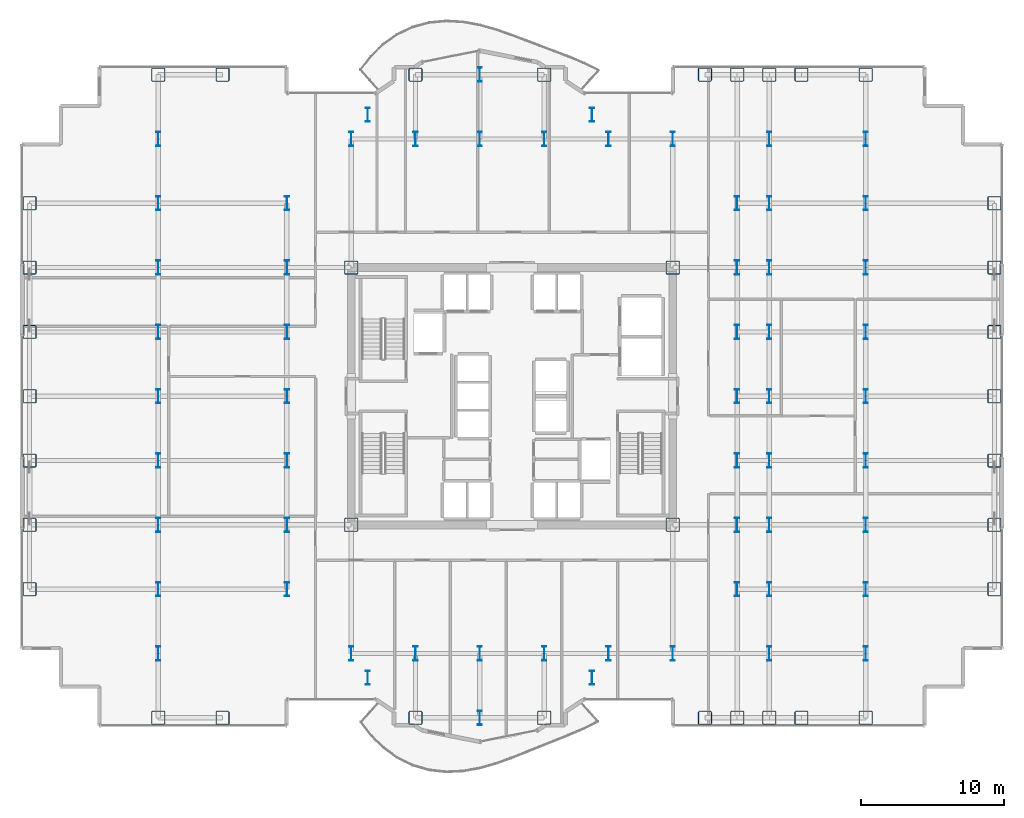
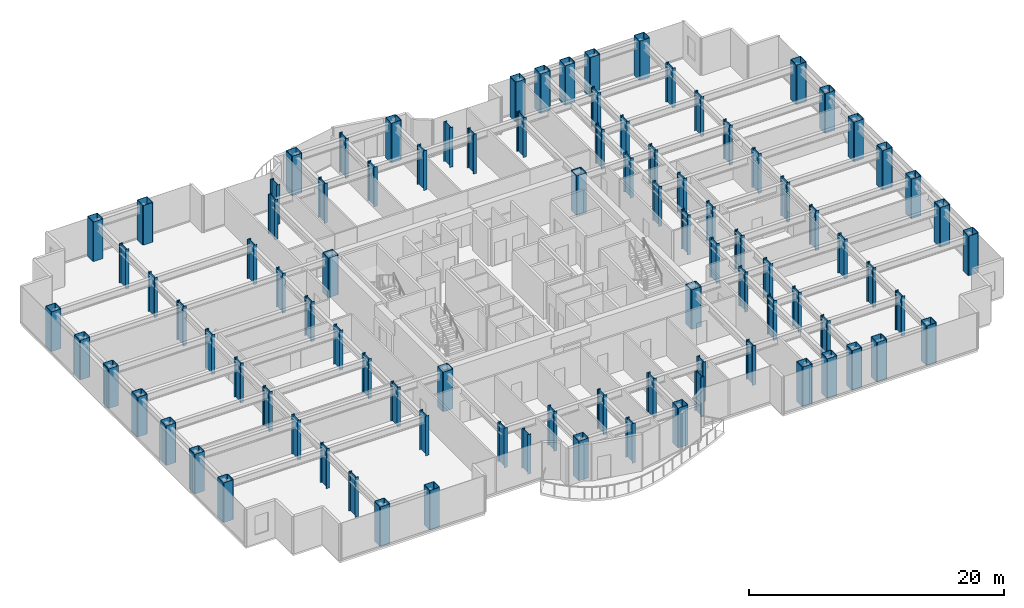
# One storey, part 1 of 29: 95 columns.
"""IFC4 building model written with IfcOpenShell, lengths in metres."""

from ifc_helpers import new_model, si_unit, direction, frame, origin, origin_2d, place, context, subcontext, project, spatial, hollow_rectangle, i_section, extrude, source, transform, mapped, material, material_profile, profile_set, type_object, element, save


model = new_model("IFC4")

# Units and contexts
model_context = context("Model", 3, precision=1e-05, world=origin(), true_north=direction((0.0, 1.0)))
body_context = subcontext(model_context, "Body", "Model", "MODEL_VIEW")
ifc_project = project(units=[si_unit("LENGTHUNIT", "METRE"), si_unit("AREAUNIT", "SQUARE_METRE"), si_unit("VOLUMEUNIT", "CUBIC_METRE"), si_unit("PLANEANGLEUNIT", "RADIAN"), si_unit("MASSUNIT", "GRAM", prefix="KILO")], contexts=[model_context])

# Site, building, storey
site_placement = place(None, origin())
site = spatial("IfcSite", under=ifc_project, at=site_placement, CompositionType="ELEMENT")
building_placement = place(site_placement, origin())
building = spatial("IfcBuilding", under=site, at=building_placement, Name="Nefas-Gora Pilgrimage Tower", CompositionType="ELEMENT")
storey_placement = place(building_placement, frame((0.0, 0.0, 90.800048828125)))
storey = spatial("IfcBuildingStorey", under=building, at=storey_placement, Name="L21", CompositionType="ELEMENT", Elevation=90.800048828125)

# Columns
ifc_material = material(Name="Steel S460", Category="steel")
ifc_material_profile_1 = material_profile(ifc_material, hollow_rectangle(XDim=0.949951171875, YDim=0.949951171875, WallThickness=0.044921875, InnerFilletRadius=0.044921875, OuterFilletRadius=0.090087890625, at=origin_2d()), Name="BOX 950x950x45")
ifc_profile_set_1 = profile_set([ifc_material_profile_1], Name="Steel S460")
column_type_1 = type_object("IfcColumnType", Name="COL-TUBE-950", PredefinedType="COLUMN", material=ifc_profile_set_1)
shared_shape_1 = source(origin(), body_context, "Body", "SweptSolid", [
    extrude(hollow_rectangle(XDim=0.949951171875, YDim=0.949951171875, WallThickness=0.044921875, InnerFilletRadius=0.044921875, OuterFilletRadius=0.090087890625, at=origin_2d()), origin(), (0.0, 0.0, 1.0), 3.800048828125),
])
for number, where, z_axis, x_axis, name in (
    (1, (-33.75, -13.5, 0.0), (0.0, 0.0, 1.0), (1.0, 0.0, 0.0), "L21 Tower Column C-Z1.1"),
    (2, (-33.75, -9.0, 0.0), (0.0, 0.0, 1.0), (1.0, 0.0, 0.0), "L21 Tower Column C-Z1.2"),
    (3, (-33.75, -4.5, 0.0), (0.0, 0.0, 1.0), (1.0, 0.0, 0.0), "L21 Tower Column C-Z1.3"),
    (4, (-33.75, 0.0, 0.0), (0.0, 0.0, 1.0), (1.0, 0.0, 0.0), "L21 Tower Column C-Z1.4"),
    (5, (-33.75, 4.5, 0.0), (0.0, 0.0, 1.0), (1.0, 0.0, 0.0), "L21 Tower Column C-Z1.5"),
    (6, (-33.75, 9.0, 0.0), (0.0, 0.0, 1.0), (1.0, 0.0, 0.0), "L21 Tower Column C-Z1.6"),
    (7, (-33.75, 13.5, 0.0), (0.0, 0.0, 1.0), (1.0, 0.0, 0.0), "L21 Tower Column C-Z1.7"),
    (8, (-24.75, -22.5, 0.0), (0.0, 0.0, 1.0), (1.0, 0.0, 0.0), "L21 Tower Column C-Z1.8"),
    (9, (-24.75, 22.5, 0.0), (0.0, 0.0, 1.0), (1.0, 0.0, 0.0), "L21 Tower Column C-Z1.18"),
    (10, (-20.25, -22.5, 0.0), (0.0, 0.0, 1.0), (1.0, 0.0, 0.0), "L21 Tower Column C-Z1.19"),
    (11, (-20.25, 22.5, 0.0), (0.0, 0.0, 1.0), (1.0, 0.0, 0.0), "L21 Tower Column C-Z1.20"),
    (12, (-6.75, -22.5, 0.0), (0.0, 0.0, 1.0), (1.0, 0.0, 0.0), "L21 Tower Column C-Z1.34"),
    (13, (-6.75, 22.5, 0.0), (0.0, 0.0, 1.0), (1.0, 0.0, 0.0), "L21 Tower Column C-Z1.37"),
    (14, (2.25, -22.5, 0.0), (0.0, 0.0, 1.0), (1.0, 0.0, 0.0), "L21 Tower Column C-Z1.42"),
    (15, (2.25, 22.5, 0.0), (0.0, 0.0, 1.0), (1.0, 0.0, 0.0), "L21 Tower Column C-Z1.45"),
    (16, (13.5, -22.5, 0.0), (0.0, 0.0, 1.0), (1.0, 0.0, 0.0), "L21 Tower Column C-Z1.54"),
    (17, (13.5, 22.5, 0.0), (0.0, 0.0, 1.0), (1.0, 0.0, 0.0), "L21 Tower Column C-Z1.55"),
    (18, (15.75, -22.5, 0.0), (0.0, 0.0, 1.0), (1.0, 0.0, 0.0), "L21 Tower Column C-Z1.56"),
    (19, (15.75, 22.5, 0.0), (0.0, 0.0, 1.0), (1.0, 0.0, 0.0), "L21 Tower Column C-Z1.64"),
    (20, (18.0, -22.5, 0.0), (0.0, 0.0, 1.0), (1.0, 0.0, 0.0), "L21 Tower Column C-Z1.65"),
    (21, (18.0, 22.5, 0.0), (0.0, 0.0, 1.0), (1.0, 0.0, 0.0), "L21 Tower Column C-Z1.75"),
    (22, (20.25, -22.5, 0.0), (0.0, 0.0, 1.0), (1.0, 0.0, 0.0), "L21 Tower Column C-Z1.76"),
    (23, (20.25, 22.5, 0.0), (0.0, 0.0, 1.0), (1.0, 0.0, 0.0), "L21 Tower Column C-Z1.77"),
    (24, (24.75, -22.5, 0.0), (0.0, 0.0, 1.0), (1.0, 0.0, 0.0), "L21 Tower Column C-Z1.78"),
    (25, (24.75, 22.5, 0.0), (0.0, 0.0, 1.0), (1.0, 0.0, 0.0), "L21 Tower Column C-Z1.88"),
    (26, (33.75, -13.5, 0.0), (0.0, 0.0, 1.0), (1.0, 0.0, 0.0), "L21 Tower Column C-Z1.89"),
    (27, (33.75, -9.0, 0.0), (0.0, 0.0, 1.0), (1.0, 0.0, 0.0), "L21 Tower Column C-Z1.90"),
    (28, (33.75, -4.5, 0.0), (0.0, 0.0, 1.0), (1.0, 0.0, 0.0), "L21 Tower Column C-Z1.91"),
    (29, (33.75, 0.0, 0.0), (0.0, 0.0, 1.0), (1.0, 0.0, 0.0), "L21 Tower Column C-Z1.92"),
    (30, (33.75, 4.5, 0.0), (0.0, 0.0, 1.0), (1.0, 0.0, 0.0), "L21 Tower Column C-Z1.93"),
    (31, (33.75, 9.0, 0.0), (0.0, 0.0, 1.0), (1.0, 0.0, 0.0), "L21 Tower Column C-Z1.94"),
    (32, (33.75, 13.5, 0.0), (0.0, 0.0, 1.0), (1.0, 0.0, 0.0), "L21 Tower Column C-Z1.95"),
):
    element("IfcColumn", number, at=place(storey_placement, frame(where, z_axis=z_axis, x_axis=x_axis)), inside=storey, type_object=column_type_1, Name=name, PredefinedType="COLUMN", context=body_context, shape_type="MappedRepresentation", body=[
        mapped(shared_shape_1, transform((0.0, 0.0, 0.0), x_axis=(1.0, 0.0, 0.0), y_axis=(0.0, 1.0, 0.0), z_axis=(0.0, 0.0, 1.0), scale=1.0)),
    ])
ifc_material_profile_2 = material_profile(ifc_material, i_section(OverallWidth=0.302001953125, OverallDepth=1.008056640625, WebThickness=0.02099609375, FlangeThickness=0.0400390625, FilletRadius=0.030029296875, at=origin_2d()), Name="HEM 1000")
ifc_profile_set_2 = profile_set([ifc_material_profile_2], Name="Steel S460")
column_type_2 = type_object("IfcColumnType", Name="COL-WEB-HEM1000", PredefinedType="COLUMN", material=ifc_profile_set_2)
shared_shape_2 = source(origin(), body_context, "Body", "SweptSolid", [
    extrude(i_section(OverallWidth=0.302001953125, OverallDepth=1.008056640625, WebThickness=0.02099609375, FlangeThickness=0.0400390625, FilletRadius=0.030029296875, at=origin_2d()), origin(), (0.0, 0.0, 1.0), 3.800048828125),
])
for number, where, z_axis, x_axis, name in (
    (33, (-24.75, -18.0, 0.0), (0.0, 0.0, 1.0), (1.0, 0.0, 0.0), "L21 Tower Column CW-01.9"),
    (34, (-24.75, -13.5, 0.0), (0.0, 0.0, 1.0), (1.0, 0.0, 0.0), "L21 Tower Column CW-01.10"),
    (35, (-24.75, -9.0, 0.0), (0.0, 0.0, 1.0), (1.0, 0.0, 0.0), "L21 Tower Column CW-01.11"),
    (36, (-24.75, -4.5, 0.0), (0.0, 0.0, 1.0), (1.0, 0.0, 0.0), "L21 Tower Column CW-01.12"),
    (37, (-24.75, 0.0, 0.0), (0.0, 0.0, 1.0), (1.0, 0.0, 0.0), "L21 Tower Column CW-01.13"),
    (38, (-24.75, 4.5, 0.0), (0.0, 0.0, 1.0), (1.0, 0.0, 0.0), "L21 Tower Column CW-01.14"),
    (39, (-24.75, 9.0, 0.0), (0.0, 0.0, 1.0), (1.0, 0.0, 0.0), "L21 Tower Column CW-01.15"),
    (40, (-24.75, 13.5, 0.0), (0.0, 0.0, 1.0), (1.0, 0.0, 0.0), "L21 Tower Column CW-01.16"),
    (41, (-24.75, 18.0, 0.0), (0.0, 0.0, 1.0), (1.0, 0.0, 0.0), "L21 Tower Column CW-01.17"),
    (42, (-15.75, -13.5, 0.0), (0.0, 0.0, 1.0), (1.0, 0.0, 0.0), "L21 Tower Column CW-01.21"),
    (43, (-15.75, -9.0, 0.0), (0.0, 0.0, 1.0), (1.0, 0.0, 0.0), "L21 Tower Column CW-01.22"),
    (44, (-15.75, -4.5, 0.0), (0.0, 0.0, 1.0), (1.0, 0.0, 0.0), "L21 Tower Column CW-01.23"),
    (45, (-15.75, 0.0, 0.0), (0.0, 0.0, 1.0), (1.0, 0.0, 0.0), "L21 Tower Column CW-01.24"),
    (46, (-15.75, 4.5, 0.0), (0.0, 0.0, 1.0), (1.0, 0.0, 0.0), "L21 Tower Column CW-01.25"),
    (47, (-15.75, 9.0, 0.0), (0.0, 0.0, 1.0), (1.0, 0.0, 0.0), "L21 Tower Column CW-01.26"),
    (48, (-15.75, 13.5, 0.0), (0.0, 0.0, 1.0), (1.0, 0.0, 0.0), "L21 Tower Column CW-01.27"),
    (49, (-11.25, -18.0, 0.0), (0.0, 0.0, 1.0), (1.0, 0.0, 0.0), "L21 Tower Column CW-01.28"),
    (50, (-11.25, 18.0, 0.0), (0.0, 0.0, 1.0), (1.0, 0.0, 0.0), "L21 Tower Column CW-01.31"),
    (51, (-10.091064453125, -19.696044921875, 0.0), (0.0, 0.0, 1.0), (1.0, 0.0, 0.0), "L21 Tower Column CW-01.32"),
    (52, (-10.091064453125, 19.696044921875, 0.0), (0.0, 0.0, 1.0), (1.0, 0.0, 0.0), "L21 Tower Column CW-01.33"),
    (53, (-6.75, -18.0, 0.0), (0.0, 0.0, 1.0), (1.0, 0.0, 0.0), "L21 Tower Column CW-01.35"),
    (54, (-6.75, 18.0, 0.0), (0.0, 0.0, 1.0), (1.0, 0.0, 0.0), "L21 Tower Column CW-01.36"),
    (55, (-2.25, -22.5, 0.0), (0.0, 0.0, 1.0), (1.0, 0.0, 0.0), "L21 Tower Column CW-01.38"),
    (56, (-2.25, -18.0, 0.0), (0.0, 0.0, 1.0), (1.0, 0.0, 0.0), "L21 Tower Column CW-01.39"),
    (57, (-2.25, 18.0, 0.0), (0.0, 0.0, 1.0), (1.0, 0.0, 0.0), "L21 Tower Column CW-01.40"),
    (58, (-2.25, 22.5, 0.0), (0.0, 0.0, 1.0), (1.0, 0.0, 0.0), "L21 Tower Column CW-01.41"),
    (59, (2.25, -18.0, 0.0), (0.0, 0.0, 1.0), (1.0, 0.0, 0.0), "L21 Tower Column CW-01.43"),
    (60, (2.25, 18.0, 0.0), (0.0, 0.0, 1.0), (1.0, 0.0, 0.0), "L21 Tower Column CW-01.44"),
    (61, (5.591064453125, -19.696044921875, 0.0), (0.0, 0.0, 1.0), (1.0, 0.0, 0.0), "L21 Tower Column CW-01.46"),
    (62, (5.591064453125, 19.696044921875, 0.0), (0.0, 0.0, 1.0), (1.0, 0.0, 0.0), "L21 Tower Column CW-01.47"),
    (63, (6.75, -18.0, 0.0), (0.0, 0.0, 1.0), (1.0, 0.0, 0.0), "L21 Tower Column CW-01.48"),
    (64, (6.75, 18.0, 0.0), (0.0, 0.0, 1.0), (1.0, 0.0, 0.0), "L21 Tower Column CW-01.49"),
    (65, (11.25, -18.0, 0.0), (0.0, 0.0, 1.0), (1.0, 0.0, 0.0), "L21 Tower Column CW-01.50"),
    (66, (11.25, 18.0, 0.0), (0.0, 0.0, 1.0), (1.0, 0.0, 0.0), "L21 Tower Column CW-01.53"),
    (67, (15.75, -13.5, 0.0), (0.0, 0.0, 1.0), (1.0, 0.0, 0.0), "L21 Tower Column CW-01.57"),
    (68, (15.75, -9.0, 0.0), (0.0, 0.0, 1.0), (1.0, 0.0, 0.0), "L21 Tower Column CW-01.58"),
    (69, (15.75, -4.5, 0.0), (0.0, 0.0, 1.0), (1.0, 0.0, 0.0), "L21 Tower Column CW-01.59"),
    (70, (15.75, 0.0, 0.0), (0.0, 0.0, 1.0), (1.0, 0.0, 0.0), "L21 Tower Column CW-01.60"),
    (71, (15.75, 4.5, 0.0), (0.0, 0.0, 1.0), (1.0, 0.0, 0.0), "L21 Tower Column CW-01.61"),
    (72, (15.75, 9.0, 0.0), (0.0, 0.0, 1.0), (1.0, 0.0, 0.0), "L21 Tower Column CW-01.62"),
    (73, (15.75, 13.5, 0.0), (0.0, 0.0, 1.0), (1.0, 0.0, 0.0), "L21 Tower Column CW-01.63"),
    (74, (18.0, -18.0, 0.0), (0.0, 0.0, 1.0), (1.0, 0.0, 0.0), "L21 Tower Column CW-01.66"),
    (75, (18.0, -13.5, 0.0), (0.0, 0.0, 1.0), (1.0, 0.0, 0.0), "L21 Tower Column CW-01.67"),
    (76, (18.0, -9.0, 0.0), (0.0, 0.0, 1.0), (1.0, 0.0, 0.0), "L21 Tower Column CW-01.68"),
    (77, (18.0, -4.5, 0.0), (0.0, 0.0, 1.0), (1.0, 0.0, 0.0), "L21 Tower Column CW-01.69"),
    (78, (18.0, 0.0, 0.0), (0.0, 0.0, 1.0), (1.0, 0.0, 0.0), "L21 Tower Column CW-01.70"),
    (79, (18.0, 4.5, 0.0), (0.0, 0.0, 1.0), (1.0, 0.0, 0.0), "L21 Tower Column CW-01.71"),
    (80, (18.0, 9.0, 0.0), (0.0, 0.0, 1.0), (1.0, 0.0, 0.0), "L21 Tower Column CW-01.72"),
    (81, (18.0, 13.5, 0.0), (0.0, 0.0, 1.0), (1.0, 0.0, 0.0), "L21 Tower Column CW-01.73"),
    (82, (18.0, 18.0, 0.0), (0.0, 0.0, 1.0), (1.0, 0.0, 0.0), "L21 Tower Column CW-01.74"),
    (83, (24.75, -18.0, 0.0), (0.0, 0.0, 1.0), (1.0, 0.0, 0.0), "L21 Tower Column CW-01.79"),
    (84, (24.75, -13.5, 0.0), (0.0, 0.0, 1.0), (1.0, 0.0, 0.0), "L21 Tower Column CW-01.80"),
    (85, (24.75, -9.0, 0.0), (0.0, 0.0, 1.0), (1.0, 0.0, 0.0), "L21 Tower Column CW-01.81"),
    (86, (24.75, -4.5, 0.0), (0.0, 0.0, 1.0), (1.0, 0.0, 0.0), "L21 Tower Column CW-01.82"),
    (87, (24.75, 0.0, 0.0), (0.0, 0.0, 1.0), (1.0, 0.0, 0.0), "L21 Tower Column CW-01.83"),
    (88, (24.75, 4.5, 0.0), (0.0, 0.0, 1.0), (1.0, 0.0, 0.0), "L21 Tower Column CW-01.84"),
    (89, (24.75, 9.0, 0.0), (0.0, 0.0, 1.0), (1.0, 0.0, 0.0), "L21 Tower Column CW-01.85"),
    (90, (24.75, 13.5, 0.0), (0.0, 0.0, 1.0), (1.0, 0.0, 0.0), "L21 Tower Column CW-01.86"),
    (91, (24.75, 18.0, 0.0), (0.0, 0.0, 1.0), (1.0, 0.0, 0.0), "L21 Tower Column CW-01.87"),
):
    element("IfcColumn", number, at=place(storey_placement, frame(where, z_axis=z_axis, x_axis=x_axis)), inside=storey, type_object=column_type_2, Name=name, PredefinedType="COLUMN", context=body_context, shape_type="MappedRepresentation", body=[
        mapped(shared_shape_2, transform((0.0, 0.0, 0.0), x_axis=(1.0, 0.0, 0.0), y_axis=(0.0, 1.0, 0.0), z_axis=(0.0, 0.0, 1.0), scale=1.0)),
    ])
ifc_material_profile_3 = material_profile(ifc_material, hollow_rectangle(XDim=0.949951171875, YDim=0.949951171875, WallThickness=0.044921875, InnerFilletRadius=0.044921875, OuterFilletRadius=0.090087890625, at=origin_2d()), Name="BOX 950x950x45")
ifc_profile_set_3 = profile_set([ifc_material_profile_3], Name="Steel S460")
column_type_3 = type_object("IfcColumnType", Name="COL-CORE-950", PredefinedType="COLUMN", material=ifc_profile_set_3)
shared_shape_3 = source(origin(), body_context, "Body", "SweptSolid", [
    extrude(hollow_rectangle(XDim=0.949951171875, YDim=0.949951171875, WallThickness=0.044921875, InnerFilletRadius=0.044921875, OuterFilletRadius=0.090087890625, at=origin_2d()), origin(), (0.0, 0.0, 1.0), 3.800048828125),
])
for number, where, z_axis, x_axis, name in (
    (92, (-11.25, -9.0, 0.0), (0.0, 0.0, 1.0), (1.0, 0.0, 0.0), "L21 Tower Column CC-Z1.29"),
    (93, (-11.25, 9.0, 0.0), (0.0, 0.0, 1.0), (1.0, 0.0, 0.0), "L21 Tower Column CC-Z1.30"),
    (94, (11.25, -9.0, 0.0), (0.0, 0.0, 1.0), (1.0, 0.0, 0.0), "L21 Tower Column CC-Z1.51"),
    (95, (11.25, 9.0, 0.0), (0.0, 0.0, 1.0), (1.0, 0.0, 0.0), "L21 Tower Column CC-Z1.52"),
):
    element("IfcColumn", number, at=place(storey_placement, frame(where, z_axis=z_axis, x_axis=x_axis)), inside=storey, type_object=column_type_3, Name=name, PredefinedType="COLUMN", context=body_context, shape_type="MappedRepresentation", body=[
        mapped(shared_shape_3, transform((0.0, 0.0, 0.0), x_axis=(1.0, 0.0, 0.0), y_axis=(0.0, 1.0, 0.0), z_axis=(0.0, 0.0, 1.0), scale=1.0)),
    ])

save(model, "model.ifc")
